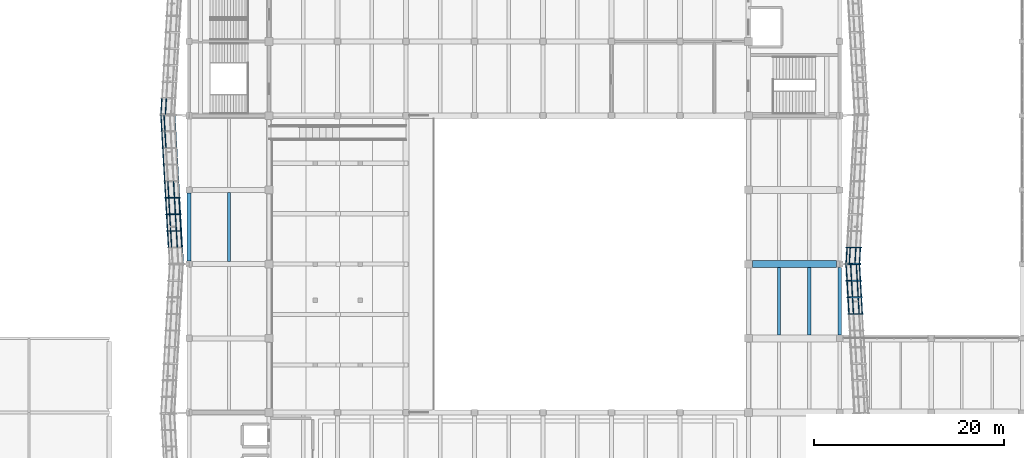
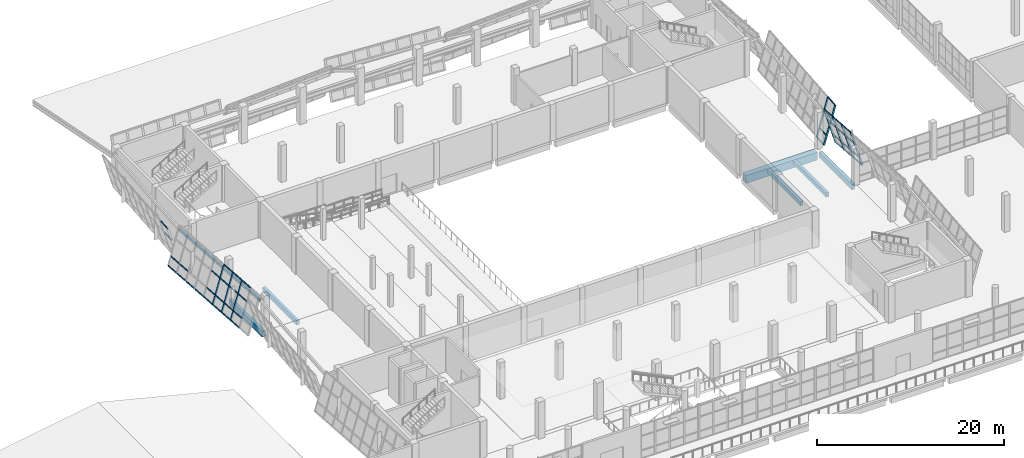
# One storey, part 23 of 79: 48 members, 7 beams, 4 elements without a shape of their own.
"""IFC4 building model written with IfcOpenShell, lengths in metres."""

from ifc_helpers import new_model, si_unit, direction, frame, origin, origin_2d, place, context, subcontext, project, spatial, rectangle, hollow_rectangle, extrude, material, material_profile, profile_set, type_object, element, aggregate, save


model = new_model("IFC4")

# Units and contexts
model_context = context("Model", 3, precision=1e-05, world=origin(), true_north=direction((0.0, 1.0)))
body_context = subcontext(model_context, "Body", "Model", "MODEL_VIEW")
ifc_project = project(units=[si_unit("LENGTHUNIT", "METRE"), si_unit("AREAUNIT", "SQUARE_METRE"), si_unit("VOLUMEUNIT", "CUBIC_METRE"), si_unit("PLANEANGLEUNIT", "RADIAN"), si_unit("MASSUNIT", "GRAM", prefix="KILO")], contexts=[model_context])

# Site, building, storey
site_placement = place(None, origin())
site = spatial("IfcSite", under=ifc_project, at=site_placement, CompositionType="ELEMENT")
building_placement = place(site_placement, origin())
building = spatial("IfcBuilding", under=site, at=building_placement, Name="Pellamere Symphony Hall", CompositionType="ELEMENT")
storey_placement = place(building_placement, frame((0.0, 0.0, 10.199951171875)))
storey = spatial("IfcBuildingStorey", under=building, at=storey_placement, Name="L02", CompositionType="ELEMENT", Elevation=10.199951171875)

# Curtain wall, members
ifc_material_1 = material(Name="Thermally Broken Anodised Aluminium 6063-T6 Curtain Wall", Category="aluminium")
curtain_wall_type = type_object("IfcCurtainWallType", Name="Curtain Wall CW-01 (Tilted Faceted Crystal Low-Iron Curtain Wall)", PredefinedType="NOTDEFINED", material=ifc_material_1)
curtain_wall_1_placement = place(storey_placement, origin())
curtain_wall_1 = element("IfcCurtainWall", 1, at=curtain_wall_1_placement, inside=storey, type_object=curtain_wall_type, Name="Crystal Faceted Curtain Wall CW-CR07 (L02)", PredefinedType="NOTDEFINED")
ifc_material_2 = material(Name="Anodised Architectural Aluminium 6063-T6", Category="aluminium")
ifc_material_profile_1 = material_profile(ifc_material_2, hollow_rectangle(XDim=0.074951171875, YDim=0.219970703125, WallThickness=0.0048828125, at=origin_2d()), Name="ALU-M75X220X5")
ifc_profile_set_1 = profile_set([ifc_material_profile_1], Name="Anodised Architectural Aluminium 6063-T6")
member_type_1 = type_object("IfcMemberType", Name="Curtain Wall Mullion ML-01 ALU-M75X220X5", PredefinedType="MULLION", material=ifc_profile_set_1)
member_1_placement = place(storey_placement, frame((121.171875, 56.566650390625, 0.0), z_axis=(-0.284021911736, 0.0, 0.9588177896), x_axis=(-0.054873989333, 0.99836096977, -0.016254824977)))
member_1 = element("IfcMember", 2, at=member_1_placement, type_object=member_type_1, Name="CW1-009 crystal mullion 7", PredefinedType="MULLION", context=body_context, shape_type="SweptSolid", body=[
    extrude(hollow_rectangle(XDim=0.074951171875, YDim=0.219970703125, WallThickness=0.0048828125, at=origin_2d()), origin(), (0.0, 0.0, 1.0), 5.006103515625),
])
member_2_placement = place(storey_placement, frame((121.07177734375, 58.31103515625, 0.0), z_axis=(-0.284021911736, 0.0, 0.9588177896), x_axis=(-0.054873989333, 0.99836096977, -0.016254824977)))
member_2 = element("IfcMember", 3, at=member_2_placement, type_object=member_type_1, Name="CW1-009 crystal mullion 8", PredefinedType="MULLION", context=body_context, shape_type="SweptSolid", body=[
    extrude(hollow_rectangle(XDim=0.074951171875, YDim=0.219970703125, WallThickness=0.0048828125, at=origin_2d()), origin(), (0.0, 0.0, 1.0), 5.006103515625),
])
member_3_placement = place(storey_placement, frame((120.9716796875, 60.0556640625, 0.0), z_axis=(-0.283977077304, 0.0, 0.958831069358), x_axis=(-0.054874749346, 0.99836096977, -0.016252259063)))
member_3 = element("IfcMember", 4, at=member_3_placement, type_object=member_type_1, Name="CW1-009 crystal mullion 9", PredefinedType="MULLION", context=body_context, shape_type="SweptSolid", body=[
    extrude(hollow_rectangle(XDim=0.074951171875, YDim=0.219970703125, WallThickness=0.0048828125, at=origin_2d()), origin(), (0.0, 0.0, 1.0), 5.006103515625),
])
member_4_placement = place(storey_placement, frame((120.8740234375, 61.762451171875, 0.0), z_axis=(-0.284021911736, 0.0, 0.9588177896), x_axis=(-0.054873989333, 0.99836096977, -0.016254824977)))
member_4 = element("IfcMember", 5, at=member_4_placement, type_object=member_type_1, Name="CW1-009 crystal mullion 10", PredefinedType="MULLION", context=body_context, shape_type="SweptSolid", body=[
    extrude(hollow_rectangle(XDim=0.074951171875, YDim=0.219970703125, WallThickness=0.0048828125, at=origin_2d()), origin(), (0.0, 0.0, 1.0), 5.006103515625),
])

curtain_wall_2_placement = place(storey_placement, origin())
curtain_wall_2 = element("IfcCurtainWall", 6, at=curtain_wall_2_placement, inside=storey, type_object=curtain_wall_type, Name="Crystal Faceted Curtain Wall CW-CR08 (L02)", PredefinedType="NOTDEFINED")
member_5_placement = place(storey_placement, frame((119.4521484375, 61.83740234375, 0.0), z_axis=(0.284021911736, 0.0, 0.9588177896), x_axis=(-0.054873989333, -0.99836096977, 0.016254824977)))
member_5 = element("IfcMember", 7, at=member_5_placement, type_object=member_type_1, Name="CW1-014 crystal mullion 1", PredefinedType="MULLION", context=body_context, shape_type="SweptSolid", body=[
    extrude(hollow_rectangle(XDim=0.074951171875, YDim=0.219970703125, WallThickness=0.0048828125, at=origin_2d()), origin(), (0.0, 0.0, 1.0), 5.006103515625),
])
member_6_placement = place(storey_placement, frame((119.550048828125, 63.54443359375, 0.0), z_axis=(0.283977077304, 0.0, 0.958831069358), x_axis=(-0.054874749346, -0.99836096977, 0.016252259063)))
member_6 = element("IfcMember", 8, at=member_6_placement, type_object=member_type_1, Name="CW1-014 crystal mullion 2", PredefinedType="MULLION", context=body_context, shape_type="SweptSolid", body=[
    extrude(hollow_rectangle(XDim=0.074951171875, YDim=0.219970703125, WallThickness=0.0048828125, at=origin_2d()), origin(), (0.0, 0.0, 1.0), 5.006103515625),
])

curtain_wall_3_placement = place(storey_placement, origin())
curtain_wall_3 = element("IfcCurtainWall", 9, at=curtain_wall_3_placement, inside=storey, type_object=curtain_wall_type, Name="Crystal Faceted Curtain Wall CW-CR16 (L02)", PredefinedType="NOTDEFINED")
member_7_placement = place(storey_placement, frame((47.92822265625, 68.77783203125, 0.0), z_axis=(0.284021911736, 0.0, 0.9588177896), x_axis=(-0.054873989333, 0.99836096977, 0.016254824977)))
member_7 = element("IfcMember", 10, at=member_7_placement, type_object=member_type_1, Name="CW1-044 crystal mullion 6", PredefinedType="MULLION", context=body_context, shape_type="SweptSolid", body=[
    extrude(hollow_rectangle(XDim=0.074951171875, YDim=0.219970703125, WallThickness=0.0048828125, at=origin_2d()), origin(), (0.0, 0.0, 1.0), 5.006103515625),
])
member_8_placement = place(storey_placement, frame((48.0283203125, 67.033447265625, 0.0), z_axis=(0.283977077304, 0.0, 0.958831069358), x_axis=(-0.054874749346, 0.99836096977, 0.016252259063)))
member_8 = element("IfcMember", 11, at=member_8_placement, type_object=member_type_1, Name="CW1-044 crystal mullion 7", PredefinedType="MULLION", context=body_context, shape_type="SweptSolid", body=[
    extrude(hollow_rectangle(XDim=0.074951171875, YDim=0.219970703125, WallThickness=0.0048828125, at=origin_2d()), origin(), (0.0, 0.0, 1.0), 5.006103515625),
])
member_9_placement = place(storey_placement, frame((48.128173828125, 65.288818359375, 0.0), z_axis=(0.284021911736, 0.0, 0.9588177896), x_axis=(-0.054873989333, 0.99836096977, 0.016254824977)))
member_9 = element("IfcMember", 12, at=member_9_placement, type_object=member_type_1, Name="CW1-044 crystal mullion 8", PredefinedType="MULLION", context=body_context, shape_type="SweptSolid", body=[
    extrude(hollow_rectangle(XDim=0.074951171875, YDim=0.219970703125, WallThickness=0.0048828125, at=origin_2d()), origin(), (0.0, 0.0, 1.0), 5.006103515625),
])

# Member
ifc_material_profile_2 = material_profile(ifc_material_2, hollow_rectangle(XDim=0.074951171875, YDim=0.179931640625, WallThickness=0.0048828125, at=origin_2d()), Name="ALU-T75X180X5")
ifc_profile_set_2 = profile_set([ifc_material_profile_2], Name="Anodised Architectural Aluminium 6063-T6")
member_type_2 = type_object("IfcMemberType", Name="Curtain Wall Transom TR-01 ALU-T75X180X5", PredefinedType="USERDEFINED", material=ifc_profile_set_2)
member_10_placement = place(storey_placement, frame((121.158935546875, 56.60400390625, 0.035888671875), z_axis=(-0.057224396245, 0.998361341637, 0.0), x_axis=(-0.998361341637, -0.057224396245, 0.0)))
member_10 = element("IfcMember", 13, at=member_10_placement, type_object=member_type_2, Name="CW1-009 crystal transom 7.1", ObjectType="TRANSOM", PredefinedType="USERDEFINED", context=body_context, shape_type="SweptSolid", body=[
    extrude(hollow_rectangle(XDim=0.074951171875, YDim=0.179931640625, WallThickness=0.0048828125, at=origin_2d()), origin(), (0.0, 0.0, 1.0), 1.67236328125),
])

member_11_placement = place(storey_placement, frame((120.828369140625, 56.60400390625, 1.152099609375), z_axis=(-0.057224396245, 0.998361341637, 0.0), x_axis=(-0.998361341637, -0.057224396245, 0.0)))
member_11 = element("IfcMember", 14, at=member_11_placement, type_object=member_type_2, Name="CW1-009 crystal transom 7.2", ObjectType="TRANSOM", PredefinedType="USERDEFINED", context=body_context, shape_type="SweptSolid", body=[
    extrude(hollow_rectangle(XDim=0.074951171875, YDim=0.179931640625, WallThickness=0.0048828125, at=origin_2d()), origin(), (0.0, 0.0, 1.0), 1.67236328125),
])

member_12_placement = place(storey_placement, frame((120.231201171875, 56.60400390625, 3.16796875), z_axis=(-0.057224396245, 0.998361341637, 0.0), x_axis=(-0.998361341637, -0.057224396245, 0.0)))
member_12 = element("IfcMember", 15, at=member_12_placement, type_object=member_type_2, Name="CW1-009 crystal transom 7.3", ObjectType="TRANSOM", PredefinedType="USERDEFINED", context=body_context, shape_type="SweptSolid", body=[
    extrude(hollow_rectangle(XDim=0.074951171875, YDim=0.179931640625, WallThickness=0.0048828125, at=origin_2d()), origin(), (0.0, 0.0, 1.0), 1.67236328125),
])

member_13_placement = place(storey_placement, frame((119.758544921875, 56.60400390625, 4.76416015625), z_axis=(-0.057224396245, 0.998361341637, 0.0), x_axis=(-0.998361341637, -0.057224396245, 0.0)))
member_13 = element("IfcMember", 16, at=member_13_placement, type_object=member_type_2, Name="CW1-009 crystal transom 7.4", ObjectType="TRANSOM", PredefinedType="USERDEFINED", context=body_context, shape_type="SweptSolid", body=[
    extrude(hollow_rectangle(XDim=0.074951171875, YDim=0.179931640625, WallThickness=0.0048828125, at=origin_2d()), origin(), (0.0, 0.0, 1.0), 1.67236328125),
])

member_14_placement = place(storey_placement, frame((121.05908203125, 58.3486328125, 0.035888671875), z_axis=(-0.057232737422, 0.998360863499, 0.0), x_axis=(-0.998360863499, -0.057232737422, 0.0)))
member_14 = element("IfcMember", 17, at=member_14_placement, type_object=member_type_2, Name="CW1-009 crystal transom 8.1", ObjectType="TRANSOM", PredefinedType="USERDEFINED", context=body_context, shape_type="SweptSolid", body=[
    extrude(hollow_rectangle(XDim=0.074951171875, YDim=0.179931640625, WallThickness=0.0048828125, at=origin_2d()), origin(), (0.0, 0.0, 1.0), 1.672119140625),
])

member_15_placement = place(storey_placement, frame((120.728515625, 58.3486328125, 1.152099609375), z_axis=(-0.057232737422, 0.998360863499, 0.0), x_axis=(-0.998360863499, -0.057232737422, 0.0)))
member_15 = element("IfcMember", 18, at=member_15_placement, type_object=member_type_2, Name="CW1-009 crystal transom 8.2", ObjectType="TRANSOM", PredefinedType="USERDEFINED", context=body_context, shape_type="SweptSolid", body=[
    extrude(hollow_rectangle(XDim=0.074951171875, YDim=0.179931640625, WallThickness=0.0048828125, at=origin_2d()), origin(), (0.0, 0.0, 1.0), 1.672119140625),
])

member_16_placement = place(storey_placement, frame((120.13134765625, 58.3486328125, 3.16796875), z_axis=(-0.057232737422, 0.998360863499, 0.0), x_axis=(-0.998360863499, -0.057232737422, 0.0)))
member_16 = element("IfcMember", 19, at=member_16_placement, type_object=member_type_2, Name="CW1-009 crystal transom 8.3", ObjectType="TRANSOM", PredefinedType="USERDEFINED", context=body_context, shape_type="SweptSolid", body=[
    extrude(hollow_rectangle(XDim=0.074951171875, YDim=0.179931640625, WallThickness=0.0048828125, at=origin_2d()), origin(), (0.0, 0.0, 1.0), 1.672119140625),
])

member_17_placement = place(storey_placement, frame((119.658447265625, 58.3486328125, 4.76416015625), z_axis=(-0.057232737422, 0.998360863499, 0.0), x_axis=(-0.998360863499, -0.057232737422, 0.0)))
member_17 = element("IfcMember", 20, at=member_17_placement, type_object=member_type_2, Name="CW1-009 crystal transom 8.4", ObjectType="TRANSOM", PredefinedType="USERDEFINED", context=body_context, shape_type="SweptSolid", body=[
    extrude(hollow_rectangle(XDim=0.074951171875, YDim=0.179931640625, WallThickness=0.0048828125, at=origin_2d()), origin(), (0.0, 0.0, 1.0), 1.672119140625),
])

member_18_placement = place(storey_placement, frame((120.958984375, 60.093017578125, 0.035888671875), z_axis=(-0.057198647566, 0.998362817175, 0.0), x_axis=(-0.998362817175, -0.057198647566, 0.0)))
member_18 = element("IfcMember", 21, at=member_18_placement, type_object=member_type_2, Name="CW1-009 crystal transom 9.1", ObjectType="TRANSOM", PredefinedType="USERDEFINED", context=body_context, shape_type="SweptSolid", body=[
    extrude(hollow_rectangle(XDim=0.074951171875, YDim=0.179931640625, WallThickness=0.0048828125, at=origin_2d()), origin(), (0.0, 0.0, 1.0), 1.634765625),
])

member_19_placement = place(storey_placement, frame((120.62841796875, 60.093017578125, 1.152099609375), z_axis=(-0.057198647566, 0.998362817175, 0.0), x_axis=(-0.998362817175, -0.057198647566, 0.0)))
member_19 = element("IfcMember", 22, at=member_19_placement, type_object=member_type_2, Name="CW1-009 crystal transom 9.2", ObjectType="TRANSOM", PredefinedType="USERDEFINED", context=body_context, shape_type="SweptSolid", body=[
    extrude(hollow_rectangle(XDim=0.074951171875, YDim=0.179931640625, WallThickness=0.0048828125, at=origin_2d()), origin(), (0.0, 0.0, 1.0), 1.634765625),
])

member_20_placement = place(storey_placement, frame((120.03125, 60.093017578125, 3.16796875), z_axis=(-0.057198647566, 0.998362817175, 0.0), x_axis=(-0.998362817175, -0.057198647566, 0.0)))
member_20 = element("IfcMember", 23, at=member_20_placement, type_object=member_type_2, Name="CW1-009 crystal transom 9.3", ObjectType="TRANSOM", PredefinedType="USERDEFINED", context=body_context, shape_type="SweptSolid", body=[
    extrude(hollow_rectangle(XDim=0.074951171875, YDim=0.179931640625, WallThickness=0.0048828125, at=origin_2d()), origin(), (0.0, 0.0, 1.0), 1.634765625),
])

member_21_placement = place(storey_placement, frame((119.55859375, 60.093017578125, 4.76416015625), z_axis=(-0.057347500779, 0.998354277877, 0.0), x_axis=(-0.998354277877, -0.057347500779, 0.0)))
member_21 = element("IfcMember", 24, at=member_21_placement, type_object=member_type_2, Name="CW1-009 crystal transom 9.4", ObjectType="TRANSOM", PredefinedType="USERDEFINED", context=body_context, shape_type="SweptSolid", body=[
    extrude(hollow_rectangle(XDim=0.074951171875, YDim=0.179931640625, WallThickness=0.0048828125, at=origin_2d()), origin(), (0.0, 0.0, 1.0), 1.634765625),
])

aggregate(curtain_wall_1, [member_1, member_2, member_3, member_4, member_10, member_11, member_12, member_13, member_14, member_15, member_16, member_17, member_18, member_19, member_20, member_21])

member_22_placement = place(storey_placement, frame((119.46484375, 61.874755859375, 0.035888671875), z_axis=(0.057338951729, 0.998354768915, 0.0), x_axis=(-0.998354768915, 0.057338951729, 0.0)))
member_22 = element("IfcMember", 25, at=member_22_placement, type_object=member_type_2, Name="CW1-014 crystal transom 1.1", ObjectType="TRANSOM", PredefinedType="USERDEFINED", context=body_context, shape_type="SweptSolid", body=[
    extrude(hollow_rectangle(XDim=0.074951171875, YDim=0.179931640625, WallThickness=0.0048828125, at=origin_2d()), origin(), (0.0, 0.0, 1.0), 1.635009765625),
])

member_23_placement = place(storey_placement, frame((119.79541015625, 61.874755859375, 1.152099609375), z_axis=(0.057338951729, 0.998354768915, 0.0), x_axis=(-0.998354768915, 0.057338951729, 0.0)))
member_23 = element("IfcMember", 26, at=member_23_placement, type_object=member_type_2, Name="CW1-014 crystal transom 1.2", ObjectType="TRANSOM", PredefinedType="USERDEFINED", context=body_context, shape_type="SweptSolid", body=[
    extrude(hollow_rectangle(XDim=0.074951171875, YDim=0.179931640625, WallThickness=0.0048828125, at=origin_2d()), origin(), (0.0, 0.0, 1.0), 1.635009765625),
])

member_24_placement = place(storey_placement, frame((120.392578125, 61.874755859375, 3.16796875), z_axis=(0.057338951729, 0.998354768915, 0.0), x_axis=(-0.998354768915, 0.057338951729, 0.0)))
member_24 = element("IfcMember", 27, at=member_24_placement, type_object=member_type_2, Name="CW1-014 crystal transom 1.3", ObjectType="TRANSOM", PredefinedType="USERDEFINED", context=body_context, shape_type="SweptSolid", body=[
    extrude(hollow_rectangle(XDim=0.074951171875, YDim=0.179931640625, WallThickness=0.0048828125, at=origin_2d()), origin(), (0.0, 0.0, 1.0), 1.635009765625),
])

member_25_placement = place(storey_placement, frame((120.865478515625, 61.874755859375, 4.76416015625), z_axis=(0.057190120561, 0.998363305671, 0.0), x_axis=(-0.998363305671, 0.057190120561, 0.0)))
member_25 = element("IfcMember", 28, at=member_25_placement, type_object=member_type_2, Name="CW1-014 crystal transom 1.4", ObjectType="TRANSOM", PredefinedType="USERDEFINED", context=body_context, shape_type="SweptSolid", body=[
    extrude(hollow_rectangle(XDim=0.074951171875, YDim=0.179931640625, WallThickness=0.0048828125, at=origin_2d()), origin(), (0.0, 0.0, 1.0), 1.635009765625),
])

aggregate(curtain_wall_2, [member_5, member_6, member_22, member_23, member_24, member_25])

# Curtain wall, members
curtain_wall_4_placement = place(storey_placement, origin())
curtain_wall_4 = element("IfcCurtainWall", 29, at=curtain_wall_4_placement, inside=storey, type_object=curtain_wall_type, Name="Crystal Faceted Curtain Wall CW-CR15 (L02)", PredefinedType="NOTDEFINED")
member_26_placement = place(storey_placement, frame((48.009521484375, 79.19580078125, 3.16796875), z_axis=(-0.057593652861, -0.998340107954, 0.0), x_axis=(0.998340107954, -0.057593652861, 0.0)))
member_26 = element("IfcMember", 30, at=member_26_placement, type_object=member_type_2, Name="CW1-039 crystal transom 9.3", ObjectType="TRANSOM", PredefinedType="USERDEFINED", context=body_context, shape_type="SweptSolid", body=[
    extrude(hollow_rectangle(XDim=0.074951171875, YDim=0.179931640625, WallThickness=0.0048828125, at=origin_2d()), origin(), (0.0, 0.0, 1.0), 1.62353515625),
])
member_27_placement = place(storey_placement, frame((47.53662109375, 79.19580078125, 4.76416015625), z_axis=(-0.057593652861, -0.998340107954, 0.0), x_axis=(0.998340107954, -0.057593652861, 0.0)))
member_27 = element("IfcMember", 31, at=member_27_placement, type_object=member_type_2, Name="CW1-039 crystal transom 9.4", ObjectType="TRANSOM", PredefinedType="USERDEFINED", context=body_context, shape_type="SweptSolid", body=[
    extrude(hollow_rectangle(XDim=0.074951171875, YDim=0.179931640625, WallThickness=0.0048828125, at=origin_2d()), origin(), (0.0, 0.0, 1.0), 1.62353515625),
])
aggregate(curtain_wall_4, [member_26, member_27])

# Member
member_28_placement = place(storey_placement, frame((47.443115234375, 77.425048828125, 0.035888671875), z_axis=(0.057198647566, -0.998362817175, 0.0), x_axis=(0.998362817175, 0.057198647566, 0.0)))
member_28 = element("IfcMember", 32, at=member_28_placement, type_object=member_type_2, Name="CW1-044 crystal transom 1.1", ObjectType="TRANSOM", PredefinedType="USERDEFINED", context=body_context, shape_type="SweptSolid", body=[
    extrude(hollow_rectangle(XDim=0.074951171875, YDim=0.179931640625, WallThickness=0.0048828125, at=origin_2d()), origin(), (0.0, 0.0, 1.0), 1.634765625),
])

member_29_placement = place(storey_placement, frame((47.773681640625, 77.425048828125, 1.152099609375), z_axis=(0.057198647566, -0.998362817175, 0.0), x_axis=(0.998362817175, 0.057198647566, 0.0)))
member_29 = element("IfcMember", 33, at=member_29_placement, type_object=member_type_2, Name="CW1-044 crystal transom 1.2", ObjectType="TRANSOM", PredefinedType="USERDEFINED", context=body_context, shape_type="SweptSolid", body=[
    extrude(hollow_rectangle(XDim=0.074951171875, YDim=0.179931640625, WallThickness=0.0048828125, at=origin_2d()), origin(), (0.0, 0.0, 1.0), 1.634765625),
])

member_30_placement = place(storey_placement, frame((47.541015625, 75.718017578125, 0.035888671875), z_axis=(0.057232737422, -0.998360863499, 0.0), x_axis=(0.998360863499, 0.057232737422, 0.0)))
member_30 = element("IfcMember", 34, at=member_30_placement, type_object=member_type_2, Name="CW1-044 crystal transom 2.1", ObjectType="TRANSOM", PredefinedType="USERDEFINED", context=body_context, shape_type="SweptSolid", body=[
    extrude(hollow_rectangle(XDim=0.074951171875, YDim=0.179931640625, WallThickness=0.0048828125, at=origin_2d()), origin(), (0.0, 0.0, 1.0), 1.672119140625),
])

member_31_placement = place(storey_placement, frame((47.87158203125, 75.718017578125, 1.152099609375), z_axis=(0.057232737422, -0.998360863499, 0.0), x_axis=(0.998360863499, 0.057232737422, 0.0)))
member_31 = element("IfcMember", 35, at=member_31_placement, type_object=member_type_2, Name="CW1-044 crystal transom 2.2", ObjectType="TRANSOM", PredefinedType="USERDEFINED", context=body_context, shape_type="SweptSolid", body=[
    extrude(hollow_rectangle(XDim=0.074951171875, YDim=0.179931640625, WallThickness=0.0048828125, at=origin_2d()), origin(), (0.0, 0.0, 1.0), 1.672119140625),
])

member_32_placement = place(storey_placement, frame((47.64111328125, 73.9736328125, 0.035888671875), z_axis=(0.057232737422, -0.998360863499, 0.0), x_axis=(0.998360863499, 0.057232737422, 0.0)))
member_32 = element("IfcMember", 36, at=member_32_placement, type_object=member_type_2, Name="CW1-044 crystal transom 3.1", ObjectType="TRANSOM", PredefinedType="USERDEFINED", context=body_context, shape_type="SweptSolid", body=[
    extrude(hollow_rectangle(XDim=0.074951171875, YDim=0.179931640625, WallThickness=0.0048828125, at=origin_2d()), origin(), (0.0, 0.0, 1.0), 1.672119140625),
])

member_33_placement = place(storey_placement, frame((47.740966796875, 72.229248046875, 0.035888671875), z_axis=(0.057224396245, -0.998361341637, 0.0), x_axis=(0.998361341637, 0.057224396245, 0.0)))
member_33 = element("IfcMember", 37, at=member_33_placement, type_object=member_type_2, Name="CW1-044 crystal transom 4.1", ObjectType="TRANSOM", PredefinedType="USERDEFINED", context=body_context, shape_type="SweptSolid", body=[
    extrude(hollow_rectangle(XDim=0.074951171875, YDim=0.179931640625, WallThickness=0.0048828125, at=origin_2d()), origin(), (0.0, 0.0, 1.0), 1.67236328125),
])

member_34_placement = place(storey_placement, frame((47.841064453125, 70.48486328125, 0.035888671875), z_axis=(0.057224396245, -0.998361341637, 0.0), x_axis=(0.998361341637, 0.057224396245, 0.0)))
member_34 = element("IfcMember", 38, at=member_34_placement, type_object=member_type_2, Name="CW1-044 crystal transom 5.1", ObjectType="TRANSOM", PredefinedType="USERDEFINED", context=body_context, shape_type="SweptSolid", body=[
    extrude(hollow_rectangle(XDim=0.074951171875, YDim=0.179931640625, WallThickness=0.0048828125, at=origin_2d()), origin(), (0.0, 0.0, 1.0), 1.67236328125),
])

member_35_placement = place(storey_placement, frame((48.171630859375, 70.48486328125, 1.152099609375), z_axis=(0.057224396245, -0.998361341637, 0.0), x_axis=(0.998361341637, 0.057224396245, 0.0)))
member_35 = element("IfcMember", 39, at=member_35_placement, type_object=member_type_2, Name="CW1-044 crystal transom 5.2", ObjectType="TRANSOM", PredefinedType="USERDEFINED", context=body_context, shape_type="SweptSolid", body=[
    extrude(hollow_rectangle(XDim=0.074951171875, YDim=0.179931640625, WallThickness=0.0048828125, at=origin_2d()), origin(), (0.0, 0.0, 1.0), 1.67236328125),
])

member_36_placement = place(storey_placement, frame((48.768798828125, 70.48486328125, 3.16796875), z_axis=(0.057224396245, -0.998361341637, 0.0), x_axis=(0.998361341637, 0.057224396245, 0.0)))
member_36 = element("IfcMember", 40, at=member_36_placement, type_object=member_type_2, Name="CW1-044 crystal transom 5.3", ObjectType="TRANSOM", PredefinedType="USERDEFINED", context=body_context, shape_type="SweptSolid", body=[
    extrude(hollow_rectangle(XDim=0.074951171875, YDim=0.179931640625, WallThickness=0.0048828125, at=origin_2d()), origin(), (0.0, 0.0, 1.0), 1.67236328125),
])

member_37_placement = place(storey_placement, frame((47.94091796875, 68.740234375, 0.035888671875), z_axis=(0.057232737422, -0.998360863499, 0.0), x_axis=(0.998360863499, 0.057232737422, 0.0)))
member_37 = element("IfcMember", 41, at=member_37_placement, type_object=member_type_2, Name="CW1-044 crystal transom 6.1", ObjectType="TRANSOM", PredefinedType="USERDEFINED", context=body_context, shape_type="SweptSolid", body=[
    extrude(hollow_rectangle(XDim=0.074951171875, YDim=0.179931640625, WallThickness=0.0048828125, at=origin_2d()), origin(), (0.0, 0.0, 1.0), 1.672119140625),
])

member_38_placement = place(storey_placement, frame((48.271484375, 68.740234375, 1.152099609375), z_axis=(0.057232737422, -0.998360863499, 0.0), x_axis=(0.998360863499, 0.057232737422, 0.0)))
member_38 = element("IfcMember", 42, at=member_38_placement, type_object=member_type_2, Name="CW1-044 crystal transom 6.2", ObjectType="TRANSOM", PredefinedType="USERDEFINED", context=body_context, shape_type="SweptSolid", body=[
    extrude(hollow_rectangle(XDim=0.074951171875, YDim=0.179931640625, WallThickness=0.0048828125, at=origin_2d()), origin(), (0.0, 0.0, 1.0), 1.672119140625),
])

member_39_placement = place(storey_placement, frame((48.86865234375, 68.740234375, 3.16796875), z_axis=(0.057232737422, -0.998360863499, 0.0), x_axis=(0.998360863499, 0.057232737422, 0.0)))
member_39 = element("IfcMember", 43, at=member_39_placement, type_object=member_type_2, Name="CW1-044 crystal transom 6.3", ObjectType="TRANSOM", PredefinedType="USERDEFINED", context=body_context, shape_type="SweptSolid", body=[
    extrude(hollow_rectangle(XDim=0.074951171875, YDim=0.179931640625, WallThickness=0.0048828125, at=origin_2d()), origin(), (0.0, 0.0, 1.0), 1.672119140625),
])

member_40_placement = place(storey_placement, frame((49.341552734375, 68.740234375, 4.76416015625), z_axis=(0.057232737422, -0.998360863499, 0.0), x_axis=(0.998360863499, 0.057232737422, 0.0)))
member_40 = element("IfcMember", 44, at=member_40_placement, type_object=member_type_2, Name="CW1-044 crystal transom 6.4", ObjectType="TRANSOM", PredefinedType="USERDEFINED", context=body_context, shape_type="SweptSolid", body=[
    extrude(hollow_rectangle(XDim=0.074951171875, YDim=0.179931640625, WallThickness=0.0048828125, at=origin_2d()), origin(), (0.0, 0.0, 1.0), 1.672119140625),
])

member_41_placement = place(storey_placement, frame((48.041015625, 66.995849609375, 0.035888671875), z_axis=(0.057232737422, -0.998360863499, 0.0), x_axis=(0.998360863499, 0.057232737422, 0.0)))
member_41 = element("IfcMember", 45, at=member_41_placement, type_object=member_type_2, Name="CW1-044 crystal transom 7.1", ObjectType="TRANSOM", PredefinedType="USERDEFINED", context=body_context, shape_type="SweptSolid", body=[
    extrude(hollow_rectangle(XDim=0.074951171875, YDim=0.179931640625, WallThickness=0.0048828125, at=origin_2d()), origin(), (0.0, 0.0, 1.0), 1.672119140625),
])

member_42_placement = place(storey_placement, frame((48.37158203125, 66.995849609375, 1.152099609375), z_axis=(0.057232737422, -0.998360863499, 0.0), x_axis=(0.998360863499, 0.057232737422, 0.0)))
member_42 = element("IfcMember", 46, at=member_42_placement, type_object=member_type_2, Name="CW1-044 crystal transom 7.2", ObjectType="TRANSOM", PredefinedType="USERDEFINED", context=body_context, shape_type="SweptSolid", body=[
    extrude(hollow_rectangle(XDim=0.074951171875, YDim=0.179931640625, WallThickness=0.0048828125, at=origin_2d()), origin(), (0.0, 0.0, 1.0), 1.672119140625),
])

member_43_placement = place(storey_placement, frame((48.96875, 66.995849609375, 3.16796875), z_axis=(0.057232737422, -0.998360863499, 0.0), x_axis=(0.998360863499, 0.057232737422, 0.0)))
member_43 = element("IfcMember", 47, at=member_43_placement, type_object=member_type_2, Name="CW1-044 crystal transom 7.3", ObjectType="TRANSOM", PredefinedType="USERDEFINED", context=body_context, shape_type="SweptSolid", body=[
    extrude(hollow_rectangle(XDim=0.074951171875, YDim=0.179931640625, WallThickness=0.0048828125, at=origin_2d()), origin(), (0.0, 0.0, 1.0), 1.672119140625),
])

member_44_placement = place(storey_placement, frame((49.44140625, 66.995849609375, 4.76416015625), z_axis=(0.057232737422, -0.998360863499, 0.0), x_axis=(0.998360863499, 0.057232737422, 0.0)))
member_44 = element("IfcMember", 48, at=member_44_placement, type_object=member_type_2, Name="CW1-044 crystal transom 7.4", ObjectType="TRANSOM", PredefinedType="USERDEFINED", context=body_context, shape_type="SweptSolid", body=[
    extrude(hollow_rectangle(XDim=0.074951171875, YDim=0.179931640625, WallThickness=0.0048828125, at=origin_2d()), origin(), (0.0, 0.0, 1.0), 1.672119140625),
])

member_45_placement = place(storey_placement, frame((48.14111328125, 65.25146484375, 0.035888671875), z_axis=(0.057224396245, -0.998361341637, 0.0), x_axis=(0.998361341637, 0.057224396245, 0.0)))
member_45 = element("IfcMember", 49, at=member_45_placement, type_object=member_type_2, Name="CW1-044 crystal transom 8.1", ObjectType="TRANSOM", PredefinedType="USERDEFINED", context=body_context, shape_type="SweptSolid", body=[
    extrude(hollow_rectangle(XDim=0.074951171875, YDim=0.179931640625, WallThickness=0.0048828125, at=origin_2d()), origin(), (0.0, 0.0, 1.0), 1.67236328125),
])

member_46_placement = place(storey_placement, frame((48.4716796875, 65.25146484375, 1.152099609375), z_axis=(0.057224396245, -0.998361341637, 0.0), x_axis=(0.998361341637, 0.057224396245, 0.0)))
member_46 = element("IfcMember", 50, at=member_46_placement, type_object=member_type_2, Name="CW1-044 crystal transom 8.2", ObjectType="TRANSOM", PredefinedType="USERDEFINED", context=body_context, shape_type="SweptSolid", body=[
    extrude(hollow_rectangle(XDim=0.074951171875, YDim=0.179931640625, WallThickness=0.0048828125, at=origin_2d()), origin(), (0.0, 0.0, 1.0), 1.67236328125),
])

member_47_placement = place(storey_placement, frame((49.06884765625, 65.25146484375, 3.16796875), z_axis=(0.057224396245, -0.998361341637, 0.0), x_axis=(0.998361341637, 0.057224396245, 0.0)))
member_47 = element("IfcMember", 51, at=member_47_placement, type_object=member_type_2, Name="CW1-044 crystal transom 8.3", ObjectType="TRANSOM", PredefinedType="USERDEFINED", context=body_context, shape_type="SweptSolid", body=[
    extrude(hollow_rectangle(XDim=0.074951171875, YDim=0.179931640625, WallThickness=0.0048828125, at=origin_2d()), origin(), (0.0, 0.0, 1.0), 1.67236328125),
])

member_48_placement = place(storey_placement, frame((49.54150390625, 65.25146484375, 4.76416015625), z_axis=(0.057224396245, -0.998361341637, 0.0), x_axis=(0.998361341637, 0.057224396245, 0.0)))
member_48 = element("IfcMember", 52, at=member_48_placement, type_object=member_type_2, Name="CW1-044 crystal transom 8.4", ObjectType="TRANSOM", PredefinedType="USERDEFINED", context=body_context, shape_type="SweptSolid", body=[
    extrude(hollow_rectangle(XDim=0.074951171875, YDim=0.179931640625, WallThickness=0.0048828125, at=origin_2d()), origin(), (0.0, 0.0, 1.0), 1.67236328125),
])

aggregate(curtain_wall_3, [member_7, member_8, member_9, member_28, member_29, member_30, member_31, member_32, member_33, member_34, member_35, member_36, member_37, member_38, member_39, member_40, member_41, member_42, member_43, member_44, member_45, member_46, member_47, member_48])

# Beams
ifc_material_3 = material(Name="Concrete 35 MPa", Category="concrete")
ifc_material_profile_3 = material_profile(ifc_material_3, rectangle(XDim=0.35009765625, YDim=0.550048828125, at=origin_2d()), Name="RC 350x550")
ifc_profile_set_3 = profile_set([ifc_material_profile_3], Name="Concrete 35 MPa")
beam_type_1 = type_object("IfcBeamType", Name="RC CB-10 350x550", PredefinedType="BEAM", material=ifc_profile_set_3)
beam_1_placement = place(storey_placement, frame((54.60009765625, 62.070068359375, -0.570068359375), z_axis=(0.0, 1.0, 0.0), x_axis=(-1.0, 0.0, 0.0)))
element("IfcBeam", 53, at=beam_1_placement, inside=storey, type_object=beam_type_1, Name="Secondary Floor Beam CB-10-M0608 (L02)", PredefinedType="BEAM", context=body_context, shape_type="SweptSolid", body=[
    extrude(rectangle(XDim=0.35009765625, YDim=0.550048828125, at=origin_2d()), origin(), (0.0, 0.0, 1.0), 7.260009765625),
])
for number, where, z_axis, x_axis, name in (
    (54, (112.39990234375, 54.360107421875, -0.570068359375), (0.0, 1.0, 0.0), (-1.0, 0.0, 0.0), "Secondary Floor Beam CB-10-A1407 (L02)"),
    (55, (115.60009765625, 54.360107421875, -0.570068359375), (0.0, 1.0, 0.0), (-1.0, 0.0, 0.0), "Secondary Floor Beam CB-10-B1407 (L02)"),
):
    element("IfcBeam", number, at=place(storey_placement, frame(where, z_axis=z_axis, x_axis=x_axis)), inside=storey, type_object=beam_type_1, Name=name, PredefinedType="BEAM", context=body_context, shape_type="SweptSolid", body=[
        extrude(rectangle(XDim=0.35009765625, YDim=0.550048828125, at=origin_2d()), origin(), (0.0, 0.0, 1.0), 7.079833984375),
    ])
ifc_material_4 = material(Name="Concrete 40 MPa", Category="concrete")
ifc_material_profile_4 = material_profile(ifc_material_4, rectangle(XDim=0.39990234375, YDim=0.699951171875, at=origin_2d()), Name="RC 400x700")
ifc_profile_set_4 = profile_set([ifc_material_profile_4], Name="Concrete 40 MPa")
beam_type_2 = type_object("IfcBeamType", Name="RC CB-13 400x700", PredefinedType="SPANDREL", material=ifc_profile_set_4)
beam_2_placement = place(storey_placement, frame((50.39990234375, 62.14990234375, -0.6298828125), z_axis=(0.0, 1.0, 0.0), x_axis=(-1.0, 0.0, 0.0)))
element("IfcBeam", 56, at=beam_2_placement, inside=storey, type_object=beam_type_2, Name="Girder CB-13-Y1254 (L02)", PredefinedType="SPANDREL", context=body_context, shape_type="SweptSolid", body=[
    extrude(rectangle(XDim=0.39990234375, YDim=0.699951171875, at=origin_2d()), origin(), (0.0, 0.0, 1.0), 7.10009765625),
])
beam_3_placement = place(storey_placement, frame((118.800048828125, 54.35009765625, -0.6298828125), z_axis=(0.0, 1.0, 0.0), x_axis=(-1.0, 0.0, 0.0)))
element("IfcBeam", 57, at=beam_3_placement, inside=storey, type_object=beam_type_2, Name="Girder CB-13-Y1331 (L02)", PredefinedType="SPANDREL", context=body_context, shape_type="SweptSolid", body=[
    extrude(rectangle(XDim=0.39990234375, YDim=0.699951171875, at=origin_2d()), origin(), (0.0, 0.0, 1.0), 7.099853515625),
])
ifc_material_profile_5 = material_profile(ifc_material_4, rectangle(XDim=0.719970703125, YDim=1.02001953125, at=origin_2d()), Name="RC 720x1020")
ifc_profile_set_5 = profile_set([ifc_material_profile_5], Name="Concrete 40 MPa")
beam_type_3 = type_object("IfcBeamType", Name="RC CB-23 720x1020", PredefinedType="BEAM", material=ifc_profile_set_5)
beam_4_placement = place(storey_placement, frame((109.625, 61.800048828125, -0.7900390625), z_axis=(1.0, 0.0, 0.0), x_axis=(0.0, 1.0, 0.0)))
element("IfcBeam", 58, at=beam_4_placement, inside=storey, type_object=beam_type_3, Name="Girder CB-23-X1143 (L02)", PredefinedType="BEAM", context=body_context, shape_type="SweptSolid", body=[
    extrude(rectangle(XDim=0.719970703125, YDim=1.02001953125, at=origin_2d()), origin(), (0.0, 0.0, 1.0), 8.824951171875),
])
ifc_material_5 = material(Name="Steel CSA G40.21 350W", Category="steel")
ifc_material_profile_6 = material_profile(ifc_material_5, hollow_rectangle(XDim=0.203125, YDim=0.3046875, WallThickness=0.0126953125, at=origin_2d()), Name="HSS305X203X13")
ifc_profile_set_6 = profile_set([ifc_material_profile_6], Name="Steel CSA G40.21 350W")
beam_type_4 = type_object("IfcBeamType", Name="Steel Spandrel SB-26 HSS305X203X13", PredefinedType="SPANDREL", material=ifc_profile_set_6)
beam_5_placement = place(storey_placement, frame((48.85009765625, 77.5, 4.239990234375), z_axis=(0.057224871396, -0.998361314402, 0.0), x_axis=(0.998361314402, 0.057224871396, 0.0)))
element("IfcBeam", 59, at=beam_5_placement, inside=storey, type_object=beam_type_4, Name="Crystal Perimeter Ring Beam CW-CR16 (L02)", PredefinedType="SPANDREL", context=body_context, shape_type="SweptSolid", body=[
    extrude(hollow_rectangle(XDim=0.203125, YDim=0.3046875, WallThickness=0.0126953125, at=origin_2d()), origin(), (0.0, 0.0, 1.0), 15.725830078125),
])

save(model, "model.ifc")
